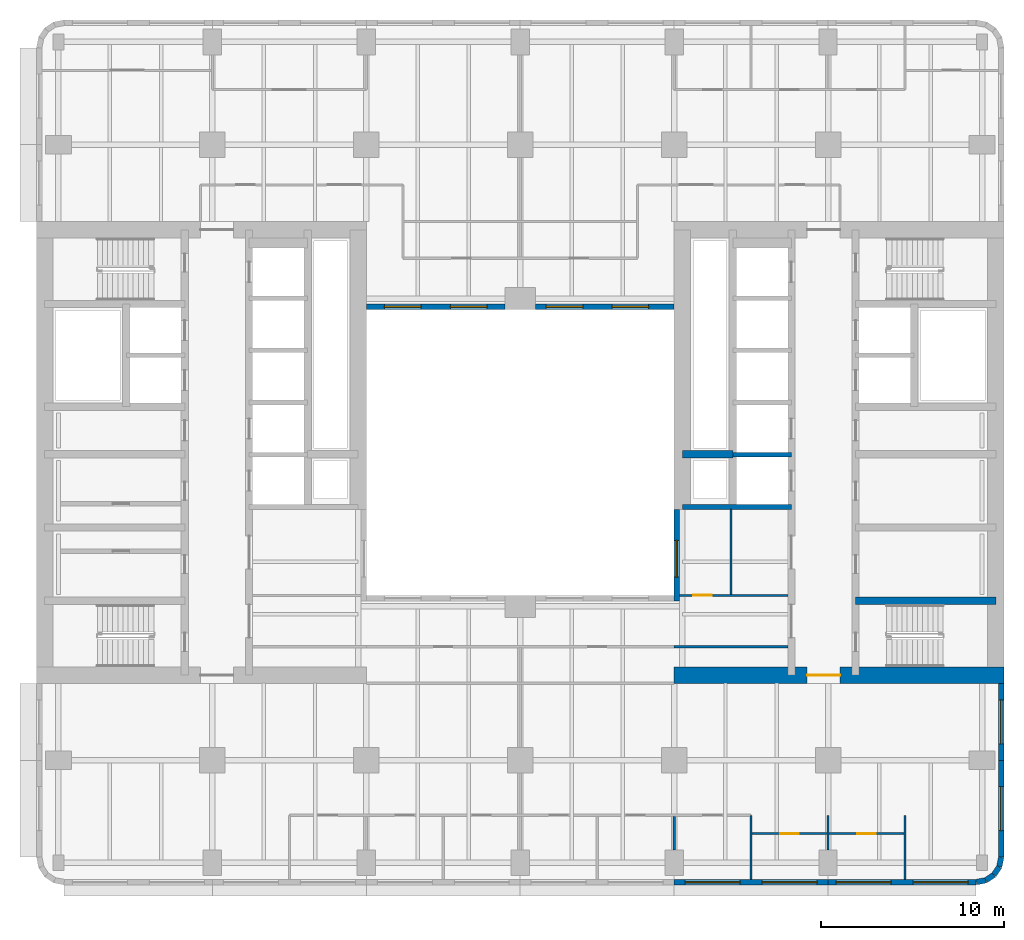
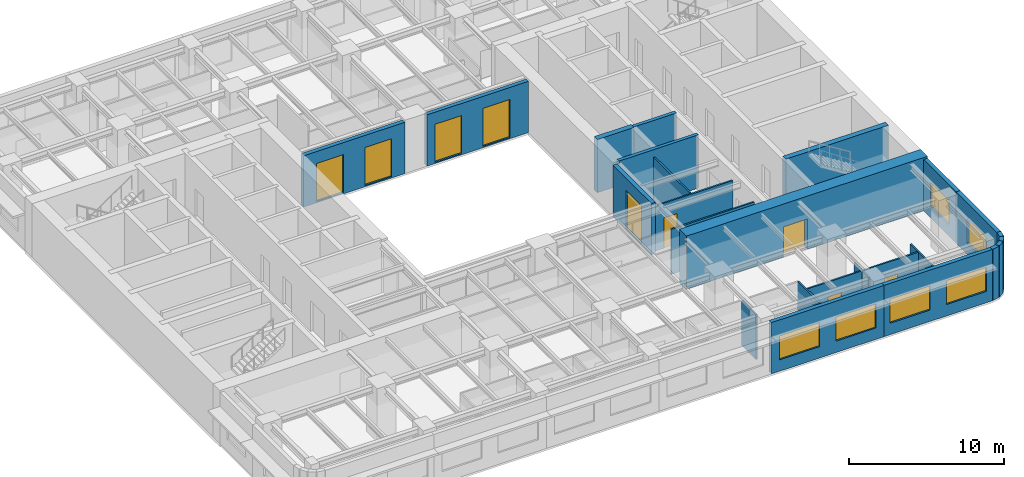
# One storey, part 5 of 11: 25 walls, 11 windows, 4 doors, 15 openings.
"""IFC4 building model written with IfcOpenShell, lengths in metres."""

from ifc_helpers import new_model, si_unit, direction, frame, frame_2d, origin, place, context, subcontext, project, spatial, rectangle, extrude, material, layer, layer_set, type_object, element, fill, save


model = new_model("IFC4")

# Units and contexts
model_context = context("Model", 3, precision=1e-05, world=origin(), true_north=direction((0.0, 1.0)))
body_context = subcontext(model_context, "Body", "Model", "MODEL_VIEW")
ifc_project = project(units=[si_unit("LENGTHUNIT", "METRE"), si_unit("AREAUNIT", "SQUARE_METRE"), si_unit("VOLUMEUNIT", "CUBIC_METRE"), si_unit("PLANEANGLEUNIT", "RADIAN"), si_unit("MASSUNIT", "GRAM", prefix="KILO")], contexts=[model_context])

# Site, building, storey
site_placement = place(None, origin())
site = spatial("IfcSite", under=ifc_project, at=site_placement, CompositionType="ELEMENT")
building_placement = place(site_placement, origin())
building = spatial("IfcBuilding", under=site, at=building_placement, Name="Claustro Exchange Tower", CompositionType="ELEMENT")
storey_placement = place(building_placement, frame((0.0, 0.0, 138.60009765625)))
storey = spatial("IfcBuildingStorey", under=building, at=storey_placement, Name="L31", CompositionType="ELEMENT", Elevation=138.60009765625)

# Wall, opening, door
ifc_material_1 = material(Name="Laminated glass in aluminium frame", Category="aluminium")
ifc_layer_1 = layer(ifc_material_1, 0.1201171875)
ifc_layer_set_1 = layer_set([ifc_layer_1], Name="Laminated glass in aluminium frame")
wall_type_1 = type_object("IfcWallType", Name="P2 120 glazed partition", PredefinedType="PARTITIONING", material=ifc_layer_set_1)
wall_1_placement = place(storey_placement, frame((33.89794921875, 17.39990234375, 0.0), z_axis=(0.0, 0.0, 1.0), x_axis=(1.0, 0.0, 0.0)))
wall_1 = element("IfcWall", 1, at=wall_1_placement, inside=storey, type_object=wall_type_1, Name="Partition P2 L31", PredefinedType="PARTITIONING", context=body_context, shape_type="SweptSolid", body=[
    extrude(rectangle(XDim=5.904052734375, YDim=0.1201171875, at=frame_2d((2.9521484375, 0.0))), origin(), (0.0, 0.0, 1.0), 3.5498046875),
])
opening_1_placement = place(wall_1_placement, frame((0.751953125, 0.0, 0.0)))
opening_1 = element("IfcOpeningElement", 2, at=opening_1_placement, cuts=wall_1, Name="Opening D7", PredefinedType="OPENING", context=body_context, shape_type="SweptSolid", body=[
    extrude(rectangle(XDim=1.0, YDim=2.39990234375, at=frame_2d((0.5, 1.199951171875))), frame((0.0, 0.070068359375, 0.0), z_axis=(0.0, -1.0, 0.0), x_axis=(1.0, 0.0, 0.0)), (0.0, 0.0, 1.0), 0.14013671875),
])
ifc_material_2 = material(Name="Glass door in aluminium frame", Category="aluminium")
door_type_1 = type_object("IfcDoorType", Name="D7 1000 x 2400 glazed door", OperationType="SINGLE_SWING_LEFT", PredefinedType="DOOR", material=ifc_material_2)
door_1_placement = place(opening_1_placement, origin())
door_1 = element("IfcDoor", 3, at=door_1_placement, inside=storey, type_object=door_type_1, Name="Door D7 L31", OperationType="SINGLE_SWING_RIGHT", OverallHeight=2.39990234375, OverallWidth=1.0, PredefinedType="DOOR", context=body_context, shape_type="SweptSolid", body=[
    extrude(rectangle(XDim=1.0, YDim=2.39990234375, at=frame_2d((0.5, 1.199951171875))), frame((0.0, 0.02490234375, 0.0), z_axis=(0.0, -1.0, 0.0), x_axis=(1.0, 0.0, 0.0)), (0.0, 0.0, 1.0), 0.050048828125),
])
fill(opening_1, door_1)

# Wall
wall_2_placement = place(storey_placement, frame((36.699951171875, 17.4580078125, 0.0), z_axis=(0.0, 0.0, 1.0), x_axis=(0.0, 1.0, 0.0)))
element("IfcWall", 4, at=wall_2_placement, inside=storey, type_object=wall_type_1, Name="Partition P2 L31", PredefinedType="PARTITIONING", context=body_context, shape_type="SweptSolid", body=[
    extrude(rectangle(XDim=4.64404296875, YDim=0.1201171875, at=frame_2d((2.322021484375, 0.0))), origin(), (0.0, 0.0, 1.0), 3.599853515625),
])

# Wall, opening, door
wall_3_placement = place(storey_placement, frame((37.85791015625, 4.39990234375, 0.0), z_axis=(0.0, 0.0, 1.0), x_axis=(1.0, 0.0, 0.0)))
wall_3 = element("IfcWall", 5, at=wall_3_placement, inside=storey, type_object=wall_type_1, Name="Partition P2 L31", PredefinedType="PARTITIONING", context=body_context, shape_type="SweptSolid", body=[
    extrude(rectangle(XDim=4.083984375, YDim=0.1201171875, at=frame_2d((2.0419921875, 0.0))), origin(), (0.0, 0.0, 1.0), 3.5498046875),
])
opening_2_placement = place(wall_3_placement, frame((1.5419921875, 0.0, 0.0)))
opening_2 = element("IfcOpeningElement", 6, at=opening_2_placement, cuts=wall_3, Name="Opening D7", PredefinedType="OPENING", context=body_context, shape_type="SweptSolid", body=[
    extrude(rectangle(XDim=1.0, YDim=2.39990234375, at=frame_2d((0.5, 1.199951171875))), frame((0.0, 0.070068359375, 0.0), z_axis=(0.0, -1.0, 0.0), x_axis=(1.0, 0.0, 0.0)), (0.0, 0.0, 1.0), 0.14013671875),
])
door_2_placement = place(opening_2_placement, frame((1.0, 0.0, 0.0), z_axis=(0.0, 0.0, 1.0), x_axis=(-1.0, 0.0, 0.0)))
door_2 = element("IfcDoor", 7, at=door_2_placement, inside=storey, type_object=door_type_1, Name="Door D7 L31", OperationType="SINGLE_SWING_RIGHT", OverallHeight=2.39990234375, OverallWidth=1.0, PredefinedType="DOOR", context=body_context, shape_type="SweptSolid", body=[
    extrude(rectangle(XDim=1.0, YDim=2.39990234375, at=frame_2d((0.5, 1.199951171875))), frame((0.0, 0.02490234375, 0.0), z_axis=(0.0, -1.0, 0.0), x_axis=(1.0, 0.0, 0.0)), (0.0, 0.0, 1.0), 0.050048828125),
])
fill(opening_2, door_2)

wall_4_placement = place(storey_placement, frame((42.05810546875, 4.39990234375, 0.0), z_axis=(0.0, 0.0, 1.0), x_axis=(1.0, 0.0, 0.0)))
wall_4 = element("IfcWall", 8, at=wall_4_placement, inside=storey, type_object=wall_type_1, Name="Partition P2 L31", PredefinedType="PARTITIONING", context=body_context, shape_type="SweptSolid", body=[
    extrude(rectangle(XDim=4.083984375, YDim=0.1201171875, at=frame_2d((2.0419921875, 0.0))), origin(), (0.0, 0.0, 1.0), 3.5498046875),
])
opening_3_placement = place(wall_4_placement, frame((1.5419921875, 0.0, 0.0)))
opening_3 = element("IfcOpeningElement", 9, at=opening_3_placement, cuts=wall_4, Name="Opening D7", PredefinedType="OPENING", context=body_context, shape_type="SweptSolid", body=[
    extrude(rectangle(XDim=1.0, YDim=2.39990234375, at=frame_2d((0.5, 1.199951171875))), frame((0.0, 0.070068359375, 0.0), z_axis=(0.0, -1.0, 0.0), x_axis=(1.0, 0.0, 0.0)), (0.0, 0.0, 1.0), 0.14013671875),
])
door_3_placement = place(opening_3_placement, frame((1.0, 0.0, 0.0), z_axis=(0.0, 0.0, 1.0), x_axis=(-1.0, 0.0, 0.0)))
door_3 = element("IfcDoor", 10, at=door_3_placement, inside=storey, type_object=door_type_1, Name="Door D7 L31", OperationType="SINGLE_SWING_RIGHT", OverallHeight=2.39990234375, OverallWidth=1.0, PredefinedType="DOOR", context=body_context, shape_type="SweptSolid", body=[
    extrude(rectangle(XDim=1.0, YDim=2.39990234375, at=frame_2d((0.5, 1.199951171875))), frame((0.0, 0.02490234375, 0.0), z_axis=(0.0, -1.0, 0.0), x_axis=(1.0, 0.0, 0.0)), (0.0, 0.0, 1.0), 0.050048828125),
])
fill(opening_3, door_3)

# Walls
wall_5_placement = place(storey_placement, frame((33.60009765625, 3.4990234375, 0.0), z_axis=(0.0, 0.0, 1.0), x_axis=(0.0, 1.0, 0.0)))
element("IfcWall", 11, at=wall_5_placement, inside=storey, type_object=wall_type_1, Name="Partition P2 L31", PredefinedType="PARTITIONING", context=body_context, shape_type="SweptSolid", body=[
    extrude(rectangle(XDim=1.843017578125, YDim=0.1201171875, at=frame_2d((0.92138671875, 0.0))), origin(), (0.0, 0.0, 1.0), 3.5498046875),
])
wall_6_placement = place(storey_placement, frame((37.800048828125, 1.89794921875, 0.0), z_axis=(0.0, 0.0, 1.0), x_axis=(0.0, 1.0, 0.0)))
element("IfcWall", 12, at=wall_6_placement, inside=storey, type_object=wall_type_1, Name="Partition P2 L31", PredefinedType="PARTITIONING", context=body_context, shape_type="SweptSolid", body=[
    extrude(rectangle(XDim=3.501953125, YDim=0.1201171875, at=frame_2d((1.7509765625, 0.0))), origin(), (0.0, 0.0, 1.0), 3.559814453125),
])
wall_7_placement = place(storey_placement, frame((42.0, 3.4990234375, 0.0), z_axis=(0.0, 0.0, 1.0), x_axis=(0.0, 1.0, 0.0)))
element("IfcWall", 13, at=wall_7_placement, inside=storey, type_object=wall_type_1, Name="Partition P2 L31", PredefinedType="PARTITIONING", context=body_context, shape_type="SweptSolid", body=[
    extrude(rectangle(XDim=1.90087890625, YDim=0.1201171875, at=frame_2d((0.950439453125, 0.0))), origin(), (0.0, 0.0, 1.0), 3.5498046875),
])
wall_8_placement = place(storey_placement, frame((46.199951171875, 1.89794921875, 0.0), z_axis=(0.0, 0.0, 1.0), x_axis=(0.0, 1.0, 0.0)))
element("IfcWall", 14, at=wall_8_placement, inside=storey, type_object=wall_type_1, Name="Partition P2 L31", PredefinedType="PARTITIONING", context=body_context, shape_type="SweptSolid", body=[
    extrude(rectangle(XDim=3.501953125, YDim=0.1201171875, at=frame_2d((1.7509765625, 0.0))), origin(), (0.0, 0.0, 1.0), 3.559814453125),
])
wall_9_placement = place(storey_placement, frame((33.597900390625, 14.60009765625, 0.0), z_axis=(0.0, 0.0, 1.0), x_axis=(1.0, 0.0, 0.0)))
element("IfcWall", 15, at=wall_9_placement, inside=storey, type_object=wall_type_1, Name="Partition P2 L31", PredefinedType="PARTITIONING", context=body_context, shape_type="SweptSolid", body=[
    extrude(rectangle(XDim=6.2041015625, YDim=0.1201171875, at=frame_2d((3.10205078125, 0.0))), origin(), (0.0, 0.0, 1.0), 3.5498046875),
])

# Wall, openings, windows
ifc_material_3 = material(Name="Concrete HA-40 (C40/50), precast, white cement, acid-etched", Category="concrete")
ifc_layer_2 = layer(ifc_material_3, 0.300048828125)
ifc_layer_set_2 = layer_set([ifc_layer_2], Name="Concrete HA-40 (C40/50), precast, white cement, acid-etched")
wall_type_2 = type_object("IfcWallType", Name="PC1 300 precast concrete pier panel", PredefinedType="SOLIDWALL", material=ifc_layer_set_2)
wall_10_placement = place(storey_placement, frame((50.085205078125, 1.75, 0.0), z_axis=(0.0, 0.0, 1.0), x_axis=(-1.0, 0.0, 0.0)))
wall_10 = element("IfcWall", 16, at=wall_10_placement, inside=storey, type_object=wall_type_2, Name="Precast pier panel PC1 L31", PredefinedType="SOLIDWALL", context=body_context, shape_type="SweptSolid", body=[
    extrude(rectangle(XDim=8.085205078125, YDim=0.300048828125, at=frame_2d((4.04248046875, 0.0))), origin(), (0.0, 0.0, 1.0), 4.0498046875),
])
opening_4_placement = place(wall_10_placement, frame((0.442626953125, 0.0, 0.89990234375)))
opening_4 = element("IfcOpeningElement", 17, at=opening_4_placement, cuts=wall_10, Name="Opening W1", PredefinedType="OPENING", context=body_context, shape_type="SweptSolid", body=[
    extrude(rectangle(XDim=3.0, YDim=1.89990234375, at=frame_2d((1.5, 0.949951171875))), frame((0.0, 0.159912109375, 0.0), z_axis=(0.0, -1.0, 0.0), x_axis=(1.0, 0.0, 0.0)), (0.0, 0.0, 1.0), 0.320068359375),
])
opening_5_placement = place(wall_10_placement, frame((4.642578125, 0.0, 0.89990234375)))
opening_5 = element("IfcOpeningElement", 18, at=opening_5_placement, cuts=wall_10, Name="Opening W1", PredefinedType="OPENING", context=body_context, shape_type="SweptSolid", body=[
    extrude(rectangle(XDim=3.0, YDim=1.89990234375, at=frame_2d((1.5, 0.949951171875))), frame((0.0, 0.159912109375, 0.0), z_axis=(0.0, -1.0, 0.0), x_axis=(1.0, 0.0, 0.0)), (0.0, 0.0, 1.0), 0.320068359375),
])
ifc_material_4 = material(Name="Aluminium frame, clear double glazing", Category="aluminium")
window_type_1 = type_object("IfcWindowType", Name="W1 3000 x 1900 window", PartitioningType="SINGLE_PANEL", PredefinedType="WINDOW", material=ifc_material_4)
window_1_placement = place(opening_4_placement, origin())
window_1 = element("IfcWindow", 19, at=window_1_placement, inside=storey, type_object=window_type_1, Name="Window W1 L31", OverallHeight=1.89990234375, OverallWidth=3.0, PartitioningType="SINGLE_PANEL", PredefinedType="WINDOW", context=body_context, shape_type="SweptSolid", body=[
    extrude(rectangle(XDim=3.0, YDim=1.89990234375, at=frame_2d((1.5, 0.949951171875))), frame((0.0, 0.030029296875, 0.0), z_axis=(0.0, -1.0, 0.0), x_axis=(1.0, 0.0, 0.0)), (0.0, 0.0, 1.0), 0.06005859375),
])
fill(opening_4, window_1)
window_2_placement = place(opening_5_placement, origin())
window_2 = element("IfcWindow", 20, at=window_2_placement, inside=storey, type_object=window_type_1, Name="Window W1 L31", OverallHeight=1.89990234375, OverallWidth=3.0, PartitioningType="SINGLE_PANEL", PredefinedType="WINDOW", context=body_context, shape_type="SweptSolid", body=[
    extrude(rectangle(XDim=3.0, YDim=1.89990234375, at=frame_2d((1.5, 0.949951171875))), frame((0.0, 0.030029296875, 0.0), z_axis=(0.0, -1.0, 0.0), x_axis=(1.0, 0.0, 0.0)), (0.0, 0.0, 1.0), 0.06005859375),
])
fill(opening_5, window_2)

wall_11_placement = place(storey_placement, frame((42.0, 1.75, 0.0), z_axis=(0.0, 0.0, 1.0), x_axis=(-1.0, 0.0, 0.0)))
wall_11 = element("IfcWall", 21, at=wall_11_placement, inside=storey, type_object=wall_type_2, Name="Precast pier panel PC1 L31", PredefinedType="SOLIDWALL", context=body_context, shape_type="SweptSolid", body=[
    extrude(rectangle(XDim=8.39990234375, YDim=0.300048828125, at=frame_2d((4.199951171875, 0.0))), origin(), (0.0, 0.0, 1.0), 4.0498046875),
])
opening_6_placement = place(wall_11_placement, frame((0.60009765625, 0.0, 0.89990234375)))
opening_6 = element("IfcOpeningElement", 22, at=opening_6_placement, cuts=wall_11, Name="Opening W1", PredefinedType="OPENING", context=body_context, shape_type="SweptSolid", body=[
    extrude(rectangle(XDim=3.0, YDim=1.89990234375, at=frame_2d((1.5, 0.949951171875))), frame((0.0, 0.159912109375, 0.0), z_axis=(0.0, -1.0, 0.0), x_axis=(1.0, 0.0, 0.0)), (0.0, 0.0, 1.0), 0.320068359375),
])
opening_7_placement = place(wall_11_placement, frame((4.800048828125, 0.0, 0.89990234375)))
opening_7 = element("IfcOpeningElement", 23, at=opening_7_placement, cuts=wall_11, Name="Opening W1", PredefinedType="OPENING", context=body_context, shape_type="SweptSolid", body=[
    extrude(rectangle(XDim=3.0, YDim=1.89990234375, at=frame_2d((1.5, 0.949951171875))), frame((0.0, 0.159912109375, 0.0), z_axis=(0.0, -1.0, 0.0), x_axis=(1.0, 0.0, 0.0)), (0.0, 0.0, 1.0), 0.320068359375),
])
window_3_placement = place(opening_6_placement, origin())
window_3 = element("IfcWindow", 24, at=window_3_placement, inside=storey, type_object=window_type_1, Name="Window W1 L31", OverallHeight=1.89990234375, OverallWidth=3.0, PartitioningType="SINGLE_PANEL", PredefinedType="WINDOW", context=body_context, shape_type="SweptSolid", body=[
    extrude(rectangle(XDim=3.0, YDim=1.89990234375, at=frame_2d((1.5, 0.949951171875))), frame((0.0, 0.030029296875, 0.0), z_axis=(0.0, -1.0, 0.0), x_axis=(1.0, 0.0, 0.0)), (0.0, 0.0, 1.0), 0.06005859375),
])
fill(opening_6, window_3)
window_4_placement = place(opening_7_placement, origin())
window_4 = element("IfcWindow", 25, at=window_4_placement, inside=storey, type_object=window_type_1, Name="Window W1 L31", OverallHeight=1.89990234375, OverallWidth=3.0, PartitioningType="SINGLE_PANEL", PredefinedType="WINDOW", context=body_context, shape_type="SweptSolid", body=[
    extrude(rectangle(XDim=3.0, YDim=1.89990234375, at=frame_2d((1.5, 0.949951171875))), frame((0.0, 0.030029296875, 0.0), z_axis=(0.0, -1.0, 0.0), x_axis=(1.0, 0.0, 0.0)), (0.0, 0.0, 1.0), 0.06005859375),
])
fill(opening_7, window_4)

# Wall, opening, window
wall_12_placement = place(storey_placement, frame((51.449951171875, 12.60009765625, 0.0), z_axis=(0.0, 0.0, 1.0), x_axis=(0.0, -1.0, 0.0)))
wall_12 = element("IfcWall", 26, at=wall_12_placement, inside=storey, type_object=wall_type_2, Name="Precast pier panel PC1 L31", PredefinedType="SOLIDWALL", context=body_context, shape_type="SweptSolid", body=[
    extrude(rectangle(XDim=4.2001953125, YDim=0.300048828125, at=frame_2d((2.10009765625, 0.0))), origin(), (0.0, 0.0, 1.0), 4.0498046875),
])
opening_8_placement = place(wall_12_placement, frame((0.89990234375, 0.0, 0.89990234375)))
opening_8 = element("IfcOpeningElement", 27, at=opening_8_placement, cuts=wall_12, Name="Opening W2", PredefinedType="OPENING", context=body_context, shape_type="SweptSolid", body=[
    extrude(rectangle(XDim=2.39990234375, YDim=1.89990234375, at=frame_2d((1.199951171875, 0.949951171875))), frame((0.0, 0.159912109375, 0.0), z_axis=(0.0, -1.0, 0.0), x_axis=(1.0, 0.0, 0.0)), (0.0, 0.0, 1.0), 0.320068359375),
])
ifc_material_5 = material(Name="Aluminium frame, clear double glazing", Category="aluminium")
window_type_2 = type_object("IfcWindowType", Name="W2 2400 x 1900 window", PartitioningType="SINGLE_PANEL", PredefinedType="WINDOW", material=ifc_material_5)
window_5_placement = place(opening_8_placement, origin())
window_5 = element("IfcWindow", 28, at=window_5_placement, inside=storey, type_object=window_type_2, Name="Window W2 L31", OverallHeight=1.89990234375, OverallWidth=2.39990234375, PartitioningType="SINGLE_PANEL", PredefinedType="WINDOW", context=body_context, shape_type="SweptSolid", body=[
    extrude(rectangle(XDim=2.39990234375, YDim=1.89990234375, at=frame_2d((1.199951171875, 0.949951171875))), frame((0.0, 0.030029296875, 0.0), z_axis=(0.0, -1.0, 0.0), x_axis=(1.0, 0.0, 0.0)), (0.0, 0.0, 1.0), 0.06005859375),
])
fill(opening_8, window_5)

wall_13_placement = place(storey_placement, frame((51.449951171875, 8.39990234375, 0.0), z_axis=(0.0, 0.0, 1.0), x_axis=(0.0, -1.0, 0.0)))
wall_13 = element("IfcWall", 29, at=wall_13_placement, inside=storey, type_object=wall_type_2, Name="Precast pier panel PC1 L31", PredefinedType="SOLIDWALL", context=body_context, shape_type="SweptSolid", body=[
    extrude(rectangle(XDim=5.28515625, YDim=0.300048828125, at=frame_2d((2.642578125, 0.0))), origin(), (0.0, 0.0, 1.0), 4.0498046875),
])
opening_9_placement = place(wall_13_placement, frame((1.442626953125, 0.0, 0.89990234375)))
opening_9 = element("IfcOpeningElement", 30, at=opening_9_placement, cuts=wall_13, Name="Opening W2", PredefinedType="OPENING", context=body_context, shape_type="SweptSolid", body=[
    extrude(rectangle(XDim=2.39990234375, YDim=1.89990234375, at=frame_2d((1.199951171875, 0.949951171875))), frame((0.0, 0.159912109375, 0.0), z_axis=(0.0, -1.0, 0.0), x_axis=(1.0, 0.0, 0.0)), (0.0, 0.0, 1.0), 0.320068359375),
])
window_6_placement = place(opening_9_placement, origin())
window_6 = element("IfcWindow", 31, at=window_6_placement, inside=storey, type_object=window_type_2, Name="Window W2 L31", OverallHeight=1.89990234375, OverallWidth=2.39990234375, PartitioningType="SINGLE_PANEL", PredefinedType="WINDOW", context=body_context, shape_type="SweptSolid", body=[
    extrude(rectangle(XDim=2.39990234375, YDim=1.89990234375, at=frame_2d((1.199951171875, 0.949951171875))), frame((0.0, 0.030029296875, 0.0), z_axis=(0.0, -1.0, 0.0), x_axis=(1.0, 0.0, 0.0)), (0.0, 0.0, 1.0), 0.06005859375),
])
fill(opening_9, window_6)

# Walls
wall_14_placement = place(storey_placement, frame((51.449951171875, 3.11474609375, 0.0), z_axis=(0.0, 0.0, 1.0), x_axis=(-0.195073962632, -0.980788534345, 0.0)))
element("IfcWall", 32, at=wall_14_placement, inside=storey, type_object=wall_type_2, Name="Precast pier panel PC1 L31", PredefinedType="SOLIDWALL", context=body_context, shape_type="SweptSolid", body=[
    extrude(rectangle(XDim=0.540771484375, YDim=0.300048828125, at=frame_2d((0.2705078125, 0.0))), origin(), (0.0, 0.0, 1.0), 4.0498046875),
])
for number, where, z_axis, x_axis, name in (
    (33, (51.344482421875, 2.58447265625, 0.0), (0.0, 0.0, 1.0), (-0.555557463938, -0.831478144188, 0.0), "Precast pier panel PC1 L31"),
    (34, (51.052490234375, 2.1474609375, 0.0), (0.0, 0.0, 1.0), (-0.831478144188, -0.555557463938, 0.0), "Precast pier panel PC1 L31"),
):
    element("IfcWall", number, at=place(storey_placement, frame(where, z_axis=z_axis, x_axis=x_axis)), inside=storey, type_object=wall_type_2, Name=name, PredefinedType="SOLIDWALL", context=body_context, shape_type="SweptSolid", body=[
        extrude(rectangle(XDim=0.525634765625, YDim=0.300048828125, at=frame_2d((0.2626953125, 0.0))), origin(), (0.0, 0.0, 1.0), 4.0498046875),
    ])
wall_15_placement = place(storey_placement, frame((50.615478515625, 1.85546875, 0.0), z_axis=(0.0, 0.0, 1.0), x_axis=(-0.980788534345, -0.195073962632, 0.0)))
element("IfcWall", 35, at=wall_15_placement, inside=storey, type_object=wall_type_2, Name="Precast pier panel PC1 L31", PredefinedType="SOLIDWALL", context=body_context, shape_type="SweptSolid", body=[
    extrude(rectangle(XDim=0.540771484375, YDim=0.300048828125, at=frame_2d((0.2705078125, 0.0))), origin(), (0.0, 0.0, 1.0), 4.0498046875),
])

# Wall, opening, window
wall_16_placement = place(storey_placement, frame((33.75, 17.10009765625, 0.0), z_axis=(0.0, 0.0, 1.0), x_axis=(0.0, 1.0, 0.0)))
wall_16 = element("IfcWall", 36, at=wall_16_placement, inside=storey, type_object=wall_type_2, Name="Precast pier panel PC1 L31", PredefinedType="SOLIDWALL", context=body_context, shape_type="SweptSolid", body=[
    extrude(rectangle(XDim=5.0, YDim=0.300048828125, at=frame_2d((2.5, 0.0))), origin(), (0.0, 0.0, 1.0), 4.0498046875),
])
opening_10_placement = place(wall_16_placement, frame((1.300048828125, 0.0, 0.10009765625)))
opening_10 = element("IfcOpeningElement", 37, at=opening_10_placement, cuts=wall_16, Name="Opening W-A", PredefinedType="OPENING", context=body_context, shape_type="SweptSolid", body=[
    extrude(rectangle(XDim=2.0, YDim=3.0, at=frame_2d((1.0, 1.5))), frame((0.0, 0.159912109375, 0.0), z_axis=(0.0, -1.0, 0.0), x_axis=(1.0, 0.0, 0.0)), (0.0, 0.0, 1.0), 0.320068359375),
])
ifc_material_6 = material(Name="Aluminium frame, clear double glazing", Category="aluminium")
window_type_3 = type_object("IfcWindowType", Name="W-A 2000 x 3000 arcade window", PartitioningType="SINGLE_PANEL", PredefinedType="WINDOW", material=ifc_material_6)
window_7_placement = place(opening_10_placement, origin())
window_7 = element("IfcWindow", 38, at=window_7_placement, inside=storey, type_object=window_type_3, Name="Window W-A L31", OverallHeight=3.0, OverallWidth=2.0, PartitioningType="SINGLE_PANEL", PredefinedType="WINDOW", context=body_context, shape_type="SweptSolid", body=[
    extrude(rectangle(XDim=2.0, YDim=3.0, at=frame_2d((1.0, 1.5))), frame((0.0, 0.030029296875, 0.0), z_axis=(0.0, -1.0, 0.0), x_axis=(1.0, 0.0, 0.0)), (0.0, 0.0, 1.0), 0.06005859375),
])
fill(opening_10, window_7)

# Wall, openings, windows
wall_17_placement = place(storey_placement, frame((16.800048828125, 33.14990234375, 0.0), z_axis=(0.0, 0.0, 1.0), x_axis=(1.0, 0.0, 0.0)))
wall_17 = element("IfcWall", 39, at=wall_17_placement, inside=storey, type_object=wall_type_2, Name="Precast pier panel PC1 L31", PredefinedType="SOLIDWALL", context=body_context, shape_type="SweptSolid", body=[
    extrude(rectangle(XDim=7.574951171875, YDim=0.300048828125, at=frame_2d((3.78759765625, 0.0))), origin(), (0.0, 0.0, 1.0), 4.0498046875),
])
opening_11_placement = place(wall_17_placement, frame((0.987548828125, 0.0, 0.10009765625)))
opening_11 = element("IfcOpeningElement", 40, at=opening_11_placement, cuts=wall_17, Name="Opening W-A", PredefinedType="OPENING", context=body_context, shape_type="SweptSolid", body=[
    extrude(rectangle(XDim=2.0, YDim=3.0, at=frame_2d((1.0, 1.5))), frame((0.0, 0.159912109375, 0.0), z_axis=(0.0, -1.0, 0.0), x_axis=(1.0, 0.0, 0.0)), (0.0, 0.0, 1.0), 0.320068359375),
])
opening_12_placement = place(wall_17_placement, frame((4.58740234375, 0.0, 0.10009765625)))
opening_12 = element("IfcOpeningElement", 41, at=opening_12_placement, cuts=wall_17, Name="Opening W-A", PredefinedType="OPENING", context=body_context, shape_type="SweptSolid", body=[
    extrude(rectangle(XDim=2.0, YDim=3.0, at=frame_2d((1.0, 1.5))), frame((0.0, 0.159912109375, 0.0), z_axis=(0.0, -1.0, 0.0), x_axis=(1.0, 0.0, 0.0)), (0.0, 0.0, 1.0), 0.320068359375),
])
window_8_placement = place(opening_11_placement, origin())
window_8 = element("IfcWindow", 42, at=window_8_placement, inside=storey, type_object=window_type_3, Name="Window W-A L31", OverallHeight=3.0, OverallWidth=2.0, PartitioningType="SINGLE_PANEL", PredefinedType="WINDOW", context=body_context, shape_type="SweptSolid", body=[
    extrude(rectangle(XDim=2.0, YDim=3.0, at=frame_2d((1.0, 1.5))), frame((0.0, 0.030029296875, 0.0), z_axis=(0.0, -1.0, 0.0), x_axis=(1.0, 0.0, 0.0)), (0.0, 0.0, 1.0), 0.06005859375),
])
fill(opening_11, window_8)
window_9_placement = place(opening_12_placement, origin())
window_9 = element("IfcWindow", 43, at=window_9_placement, inside=storey, type_object=window_type_3, Name="Window W-A L31", OverallHeight=3.0, OverallWidth=2.0, PartitioningType="SINGLE_PANEL", PredefinedType="WINDOW", context=body_context, shape_type="SweptSolid", body=[
    extrude(rectangle(XDim=2.0, YDim=3.0, at=frame_2d((1.0, 1.5))), frame((0.0, 0.030029296875, 0.0), z_axis=(0.0, -1.0, 0.0), x_axis=(1.0, 0.0, 0.0)), (0.0, 0.0, 1.0), 0.06005859375),
])
fill(opening_12, window_9)

wall_18_placement = place(storey_placement, frame((26.02490234375, 33.14990234375, 0.0), z_axis=(0.0, 0.0, 1.0), x_axis=(1.0, 0.0, 0.0)))
wall_18 = element("IfcWall", 44, at=wall_18_placement, inside=storey, type_object=wall_type_2, Name="Precast pier panel PC1 L31", PredefinedType="SOLIDWALL", context=body_context, shape_type="SweptSolid", body=[
    extrude(rectangle(XDim=7.5751953125, YDim=0.300048828125, at=frame_2d((3.78759765625, 0.0))), origin(), (0.0, 0.0, 1.0), 4.0498046875),
])
opening_13_placement = place(wall_18_placement, frame((0.58740234375, 0.0, 0.10009765625)))
opening_13 = element("IfcOpeningElement", 45, at=opening_13_placement, cuts=wall_18, Name="Opening W-A", PredefinedType="OPENING", context=body_context, shape_type="SweptSolid", body=[
    extrude(rectangle(XDim=2.0, YDim=3.0, at=frame_2d((1.0, 1.5))), frame((0.0, 0.159912109375, 0.0), z_axis=(0.0, -1.0, 0.0), x_axis=(1.0, 0.0, 0.0)), (0.0, 0.0, 1.0), 0.320068359375),
])
opening_14_placement = place(wall_18_placement, frame((4.1875, 0.0, 0.10009765625)))
opening_14 = element("IfcOpeningElement", 46, at=opening_14_placement, cuts=wall_18, Name="Opening W-A", PredefinedType="OPENING", context=body_context, shape_type="SweptSolid", body=[
    extrude(rectangle(XDim=2.0, YDim=3.0, at=frame_2d((1.0, 1.5))), frame((0.0, 0.159912109375, 0.0), z_axis=(0.0, -1.0, 0.0), x_axis=(1.0, 0.0, 0.0)), (0.0, 0.0, 1.0), 0.320068359375),
])
window_10_placement = place(opening_13_placement, origin())
window_10 = element("IfcWindow", 47, at=window_10_placement, inside=storey, type_object=window_type_3, Name="Window W-A L31", OverallHeight=3.0, OverallWidth=2.0, PartitioningType="SINGLE_PANEL", PredefinedType="WINDOW", context=body_context, shape_type="SweptSolid", body=[
    extrude(rectangle(XDim=2.0, YDim=3.0, at=frame_2d((1.0, 1.5))), frame((0.0, 0.030029296875, 0.0), z_axis=(0.0, -1.0, 0.0), x_axis=(1.0, 0.0, 0.0)), (0.0, 0.0, 1.0), 0.06005859375),
])
fill(opening_13, window_10)
window_11_placement = place(opening_14_placement, origin())
window_11 = element("IfcWindow", 48, at=window_11_placement, inside=storey, type_object=window_type_3, Name="Window W-A L31", OverallHeight=3.0, OverallWidth=2.0, PartitioningType="SINGLE_PANEL", PredefinedType="WINDOW", context=body_context, shape_type="SweptSolid", body=[
    extrude(rectangle(XDim=2.0, YDim=3.0, at=frame_2d((1.0, 1.5))), frame((0.0, 0.030029296875, 0.0), z_axis=(0.0, -1.0, 0.0), x_axis=(1.0, 0.0, 0.0)), (0.0, 0.0, 1.0), 0.06005859375),
])
fill(opening_14, window_11)

# Wall, opening, door
ifc_material_7 = material(Name="Concrete HA-70 (C70/85)", Category="concrete")
ifc_layer_3 = layer(ifc_material_7, 0.89990234375)
ifc_layer_set_3 = layer_set([ifc_layer_3], Name="Concrete HA-70 (C70/85)")
wall_type_3 = type_object("IfcWallType", Name="SW1 900 core shear wall", PredefinedType="SHEAR", material=ifc_layer_set_3)
wall_19_placement = place(storey_placement, frame((33.60009765625, 13.050048828125, 0.0), z_axis=(0.0, 0.0, 1.0), x_axis=(1.0, 0.0, 0.0)))
wall_19 = element("IfcWall", 49, at=wall_19_placement, inside=storey, type_object=wall_type_3, Name="Core wall SW1 E core S face L31", PredefinedType="SHEAR", context=body_context, shape_type="SweptSolid", body=[
    extrude(rectangle(XDim=18.0, YDim=0.89990234375, at=frame_2d((9.0, 0.0))), origin(), (0.0, 0.0, 1.0), 4.199951171875),
])
opening_15_placement = place(wall_19_placement, frame((7.25, 0.0, 0.0)))
opening_15 = element("IfcOpeningElement", 50, at=opening_15_placement, cuts=wall_19, Name="Opening D3", PredefinedType="OPENING", context=body_context, shape_type="SweptSolid", body=[
    extrude(rectangle(XDim=1.800048828125, YDim=2.39990234375, at=frame_2d((0.89990234375, 1.199951171875))), frame((0.0, 0.4599609375, 0.0), z_axis=(0.0, -1.0, 0.0), x_axis=(1.0, 0.0, 0.0)), (0.0, 0.0, 1.0), 0.919921875),
])
ifc_material_8 = material(Name="Steel fire door, painted", Category="steel")
door_type_2 = type_object("IfcDoorType", Name="D3 1800 x 2400 fire-rated lobby double door", OperationType="DOUBLE_DOOR_SINGLE_SWING", PredefinedType="DOOR", material=ifc_material_8)
door_4_placement = place(opening_15_placement, frame((1.800048828125, 0.0, 0.0), z_axis=(0.0, 0.0, 1.0), x_axis=(-1.0, 0.0, 0.0)))
door_4 = element("IfcDoor", 51, at=door_4_placement, inside=storey, type_object=door_type_2, Name="Lift lobby door D3 L31", OperationType="DOUBLE_DOOR_SINGLE_SWING", OverallHeight=2.39990234375, OverallWidth=1.800048828125, PredefinedType="DOOR", context=body_context, shape_type="SweptSolid", body=[
    extrude(rectangle(XDim=1.800048828125, YDim=2.39990234375, at=frame_2d((0.89990234375, 1.199951171875))), frame((0.0, 0.02490234375, 0.0), z_axis=(0.0, -1.0, 0.0), x_axis=(1.0, 0.0, 0.0)), (0.0, 0.0, 1.0), 0.050048828125),
])
fill(opening_15, door_4)

# Walls
ifc_material_9 = material(Name="Concrete HA-50 (C50/60)", Category="concrete")
ifc_layer_4 = layer(ifc_material_9, 0.39990234375)
ifc_layer_set_4 = layer_set([ifc_layer_4], Name="Concrete HA-50 (C50/60)")
wall_type_4 = type_object("IfcWallType", Name="SW4 400 internal core wall", PredefinedType="SHEAR", material=ifc_layer_set_4)
wall_20_placement = place(storey_placement, frame((51.14990234375, 17.10009765625, 0.0), z_axis=(0.0, 0.0, 1.0), x_axis=(-1.0, 0.0, 0.0)))
element("IfcWall", 52, at=wall_20_placement, inside=storey, type_object=wall_type_4, Name="Internal core wall SW4 E core L31", PredefinedType="SHEAR", context=body_context, shape_type="SweptSolid", body=[
    extrude(rectangle(XDim=7.64990234375, YDim=0.39990234375, at=frame_2d((3.824951171875, 0.0))), origin(), (0.0, 0.0, 1.0), 4.199951171875),
])
wall_21_placement = place(storey_placement, frame((36.800048828125, 25.10009765625, 0.0), z_axis=(0.0, 0.0, 1.0), x_axis=(-1.0, 0.0, 0.0)))
element("IfcWall", 53, at=wall_21_placement, inside=storey, type_object=wall_type_4, Name="Internal core wall SW4 E core L31", PredefinedType="SHEAR", context=body_context, shape_type="SweptSolid", body=[
    extrude(rectangle(XDim=2.75, YDim=0.39990234375, at=frame_2d((1.375, 0.0))), origin(), (0.0, 0.0, 1.0), 4.199951171875),
])
ifc_material_10 = material(Name="Concrete HA-50 (C50/60)", Category="concrete")
ifc_layer_5 = layer(ifc_material_10, 0.25)
ifc_layer_set_5 = layer_set([ifc_layer_5], Name="Concrete HA-50 (C50/60)")
wall_type_5 = type_object("IfcWallType", Name="SW5 250 lift shaft divider wall", PredefinedType="SHEAR", material=ifc_layer_set_5)
wall_22_placement = place(storey_placement, frame((40.0, 22.22509765625, 0.0), z_axis=(0.0, 0.0, 1.0), x_axis=(-1.0, 0.0, 0.0)))
element("IfcWall", 54, at=wall_22_placement, inside=storey, type_object=wall_type_5, Name="Core step wall E core L31", PredefinedType="SHEAR", context=body_context, shape_type="SweptSolid", body=[
    extrude(rectangle(XDim=5.949951171875, YDim=0.25, at=frame_2d((2.97509765625, 0.0))), origin(), (0.0, 0.0, 1.0), 4.199951171875),
])
wall_23_placement = place(storey_placement, frame((40.0, 25.074951171875, 0.0), z_axis=(0.0, 0.0, 1.0), x_axis=(-1.0, 0.0, 0.0)))
element("IfcWall", 55, at=wall_23_placement, inside=storey, type_object=wall_type_5, Name="Lift shaft wall E core L31", PredefinedType="SHEAR", context=body_context, shape_type="SweptSolid", body=[
    extrude(rectangle(XDim=3.199951171875, YDim=0.25, at=frame_2d((1.60009765625, 0.0))), origin(), (0.0, 0.0, 1.0), 4.199951171875),
])

save(model, "model.ifc")
